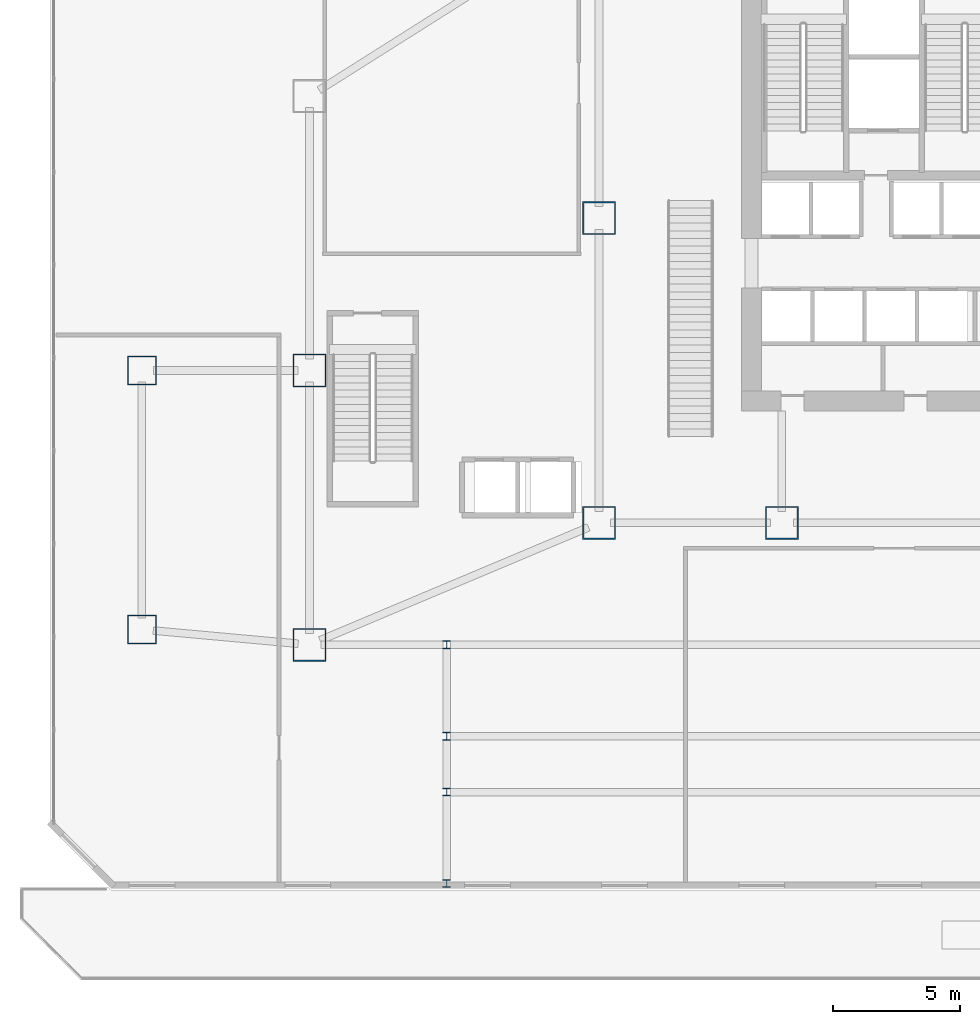
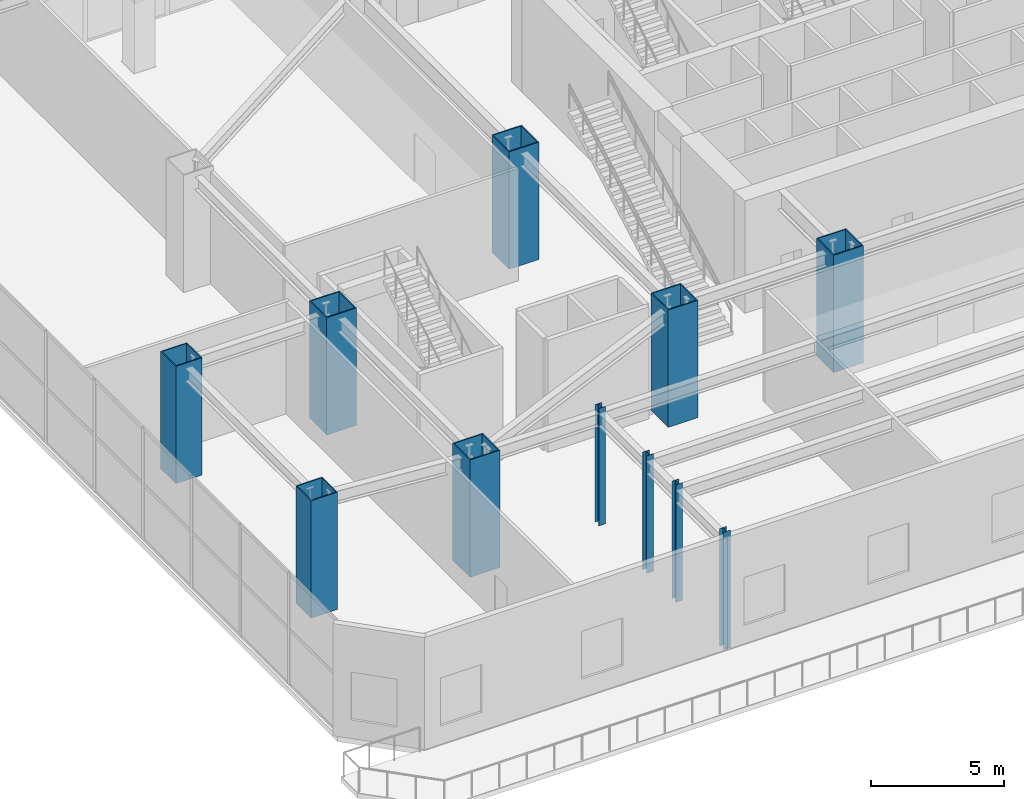
# One storey, part 1 of 37: 11 columns.
"""IFC4 building model written with IfcOpenShell, lengths in metres."""

import ifcopenshell
import ifcopenshell.guid

model = None  # the IFC model being written
_history = None  # IfcOwnerHistory: only IFC2X3 demands one
_inside = {}  # id of a spatial element -> (the spatial element, [elements in it])
_under = {}  # id of a project, library or spatial element -> (it, [spatial elements below it])
_declared = {}  # id of a project -> (the project, [libraries it declares])
_typed = {}  # id of a type object -> (the type object, [elements of that type])
_made_of = {}  # id of a material, layer set ... -> (it, [elements and type objects made of it])


def new_model(schema):
    """Start an empty IFC model of exactly this schema.

    Asked for "IFC4X3", IfcOpenShell would pick the latest addendum, in which some entities
    have other attributes; the version numbers below select the first issue.
    IFC2X3 requires an IfcOwnerHistory on every rooted entity: one is made here for all.
    """
    global model, _history
    if schema == "IFC4X3":
        model = ifcopenshell.file(schema_version=(4, 3, 0, 0))
    else:
        model = ifcopenshell.file(schema=schema)
    _inside.clear()
    _under.clear()
    _declared.clear()
    _typed.clear()
    _made_of.clear()
    _history = None
    if model.schema == "IFC2X3":
        org = make("IfcOrganization", Name="unknown")
        user = make(
            "IfcPersonAndOrganization",
            ThePerson=make("IfcPerson", FamilyName="unknown"),
            TheOrganization=org,
        )
        app = make(
            "IfcApplication",
            ApplicationDeveloper=org,
            Version="unknown",
            ApplicationFullName="unknown",
            ApplicationIdentifier="unknown",
        )
        _history = make(
            "IfcOwnerHistory",
            OwningUser=user,
            OwningApplication=app,
            ChangeAction="ADDED",
            CreationDate=0,
        )
    return model


def make(cls, **values):
    """One entity of the class cls with the attributes given. An attribute that is None is left unset."""
    return model.create_entity(
        cls, **{name: value for name, value in values.items() if value is not None}
    )


def rooted(cls, **values):
    """An entity with a GlobalId (a new one), such as an element, a storey or a relation."""
    return make(cls, GlobalId=ifcopenshell.guid.new(), OwnerHistory=_history, **values)


def si_unit(unit_type, name, prefix=None):
    """IfcSIUnit, for example si_unit("LENGTHUNIT", "METRE", prefix="MILLI")."""
    return make("IfcSIUnit", UnitType=unit_type, Prefix=prefix, Name=name)


def assignment(units):
    """IfcUnitAssignment: the units of a project."""
    return None if units is None else make("IfcUnitAssignment", Units=units)


def point(xyz):
    """IfcCartesianPoint."""
    return None if xyz is None else make("IfcCartesianPoint", Coordinates=xyz)


def direction(xyz):
    """IfcDirection."""
    return None if xyz is None else make("IfcDirection", DirectionRatios=xyz)


def frame(location, z_axis=None, x_axis=None):
    """IfcAxis2Placement3D, a coordinate frame: its origin and axes. An axis left out is left unset."""
    return make(
        "IfcAxis2Placement3D",
        Location=point(location),
        Axis=direction(z_axis),
        RefDirection=direction(x_axis),
    )


def frame_2d(location, x_axis=None):
    """IfcAxis2Placement2D, a coordinate frame in the plane: its origin and x axis."""
    return make(
        "IfcAxis2Placement2D", Location=point(location), RefDirection=direction(x_axis)
    )


def origin():
    """The frame at (0, 0, 0) with its axes left unset."""
    return frame((0.0, 0.0, 0.0))


def origin_2d():
    """The frame at (0, 0) in the plane with its x axis left unset."""
    return frame_2d((0.0, 0.0))


def place(relative_to, where):
    """IfcLocalPlacement: puts the frame where relative to a parent placement (None: the world)."""
    return make(
        "IfcLocalPlacement", PlacementRelTo=relative_to, RelativePlacement=where
    )


def context(
    kind, dimensions, precision=None, world=None, true_north=None, identifier=None
):
    """IfcGeometricRepresentationContext, for example the 3D "Model" context."""
    return make(
        "IfcGeometricRepresentationContext",
        ContextIdentifier=identifier,
        ContextType=kind,
        CoordinateSpaceDimension=dimensions,
        Precision=precision,
        WorldCoordinateSystem=world,
        TrueNorth=true_north,
    )


def subcontext(parent, identifier, kind, view, scale=None):
    """IfcGeometricRepresentationSubContext, for example "Body" below "Model"."""
    return make(
        "IfcGeometricRepresentationSubContext",
        ContextIdentifier=identifier,
        ContextType=kind,
        ParentContext=parent,
        TargetScale=scale,
        TargetView=view,
    )


def project(units=None, contexts=None):
    """IfcProject with its units and contexts."""
    return rooted(
        "IfcProject",
        Name="project",
        RepresentationContexts=contexts,
        UnitsInContext=assignment(units),
    )


def spatial(cls, under=None, at=None, **own):
    """A site, building, storey or space (cls), placed at a placement, below another one or the project."""
    s = rooted(cls, ObjectPlacement=at, **own)
    if under is not None:
        _under.setdefault(under.id(), (under, []))[1].append(s)
    return s


def profile(cls, at=None, kind="AREA", **sizes):
    """A parametric profile (cls). Its sizes go by their IFC names, for example OverallWidth=200.0."""
    return make(cls, ProfileType=kind, Position=at, **sizes)


def hollow_rectangle(**sizes):
    """IfcRectangleHollowProfileDef."""
    return profile("IfcRectangleHollowProfileDef", **sizes)


def i_section(**sizes):
    """IfcIShapeProfileDef."""
    return profile("IfcIShapeProfileDef", **sizes)


def extrude(swept, where, along, depth):
    """IfcExtrudedAreaSolid: the profile swept, set in the frame where, extruded along a direction by depth."""
    return make(
        "IfcExtrudedAreaSolid",
        SweptArea=swept,
        Position=where,
        ExtrudedDirection=direction(along),
        Depth=depth,
    )


def shape(context_of_items, identifier, shape_type, items):
    """IfcShapeRepresentation: the items that make up one representation, for example the "Body"."""
    return make(
        "IfcShapeRepresentation",
        ContextOfItems=context_of_items,
        RepresentationIdentifier=identifier,
        RepresentationType=shape_type,
        Items=items,
    )


def material(Name=None, Category=None):
    """IfcMaterial."""
    return make("IfcMaterial", Name=Name, Category=Category)


def material_profile(
    of_material, cross_section, Name=None, Category=None, Priority=None
):
    """IfcMaterialProfile: a cross section and its material."""
    return make(
        "IfcMaterialProfile",
        Name=Name,
        Material=of_material,
        Profile=cross_section,
        Priority=Priority,
        Category=Category,
    )


def profile_set(profiles, Name=None, composite=None):
    """IfcMaterialProfileSet."""
    return make(
        "IfcMaterialProfileSet",
        Name=Name,
        MaterialProfiles=profiles,
        CompositeProfile=composite,
    )


def made_of(thing, what):
    """Note that an element or type object is made of a material, layer set ...; save() writes the relation."""
    if what is not None:
        _made_of.setdefault(what.id(), (what, []))[1].append(thing)
    return thing


def type_object(cls, material=None, **own):
    """A type object (cls), such as IfcWallType, which elements share."""
    return made_of(rooted(cls, **own), material)


def element(
    cls,
    number,
    at=None,
    inside=None,
    cuts=None,
    type_object=None,
    material=None,
    context=None,
    identifier="Body",
    shape_type=None,
    held_by="IfcProductDefinitionShape",
    body=None,
    shapes=None,
    **own,
):
    """One element of the class cls, such as IfcWall. Its Tag is "e" and its number.

    at: its placement. inside: the storey or other place that contains it. cuts: it is an
    opening in that element (IfcRelVoidsElement). A single representation is given by context,
    identifier, shape_type and body (its items); several are given by shapes. held_by: the class
    of the entity that holds the representations. save() writes the other relations.
    """
    e = rooted(cls, Tag="e%d" % number, ObjectPlacement=at, **own)
    if body is not None:
        shapes = [shape(context, identifier, shape_type, body)]
    if shapes is not None:
        e.Representation = make(held_by, Representations=shapes)
    if inside is not None:
        _inside.setdefault(inside.id(), (inside, []))[1].append(e)
    if cuts is not None:
        rooted(
            "IfcRelVoidsElement", RelatingBuildingElement=cuts, RelatedOpeningElement=e
        )
    if type_object is not None:
        _typed.setdefault(type_object.id(), (type_object, []))[1].append(e)
    return made_of(e, material)


def aggregate(whole, parts):
    """IfcRelAggregates: a whole, such as a stair, and the parts it consists of."""
    return rooted("IfcRelAggregates", RelatingObject=whole, RelatedObjects=parts)


def save(model, path):
    """Write the relations noted so far, then the file.

    IfcRelAggregates (storeys below a building ...), IfcRelContainedInSpatialStructure (elements
    in a storey), IfcRelDefinesByType, IfcRelAssociatesMaterial and IfcRelDeclares: one each for
    every whole, place, type object, material and project.
    """
    for whole, parts in _under.values():
        aggregate(whole, parts)
    for where, things in _inside.values():
        rooted(
            "IfcRelContainedInSpatialStructure",
            RelatedElements=things,
            RelatingStructure=where,
        )
    for kind, things in _typed.values():
        rooted("IfcRelDefinesByType", RelatedObjects=things, RelatingType=kind)
    for what, things in _made_of.values():
        rooted("IfcRelAssociatesMaterial", RelatedObjects=things, RelatingMaterial=what)
    for by, libraries in _declared.values():
        rooted("IfcRelDeclares", RelatingContext=by, RelatedDefinitions=libraries)
    model.write(path)


model = new_model("IFC4")

# Units and contexts
model_context = context("Model", 3, precision=1e-05, world=origin(), true_north=direction((0.0, 1.0)))
body_context = subcontext(model_context, "Body", "Model", "MODEL_VIEW")
ifc_project = project(units=[si_unit("LENGTHUNIT", "METRE"), si_unit("AREAUNIT", "SQUARE_METRE"), si_unit("VOLUMEUNIT", "CUBIC_METRE"), si_unit("PLANEANGLEUNIT", "RADIAN"), si_unit("MASSUNIT", "GRAM", prefix="KILO")], contexts=[model_context])

# Site, building, storey
site_placement = place(None, origin())
site = spatial("IfcSite", under=ifc_project, at=site_placement, CompositionType="ELEMENT")
building_placement = place(site_placement, origin())
building = spatial("IfcBuilding", under=site, at=building_placement, Name="Haolan Belvedere Tower", CompositionType="ELEMENT")
storey_placement = place(building_placement, frame((0.0, 0.0, 10.199951171875)))
storey = spatial("IfcBuildingStorey", under=building, at=storey_placement, Name="L02", CompositionType="ELEMENT", Elevation=10.199951171875)

# Columns
ifc_material = material(Name="Steel Q355B", Category="steel")
ifc_material_profile_1 = material_profile(ifc_material, hollow_rectangle(XDim=1.14990234375, YDim=1.14990234375, WallThickness=0.0419921875, at=origin_2d()), Name="Steel Q355B")
ifc_profile_set_1 = profile_set([ifc_material_profile_1], Name="Steel Q355B")
column_type_1 = type_object("IfcColumnType", Name="COL-BOX1150x1150x42", PredefinedType="COLUMN", material=ifc_profile_set_1)
for number, where, z_axis, x_axis, name in (
    (1, (6.0, 17.39990234375, 0.0), (0.0, 0.0, 1.0), (1.0, 0.0, 0.0), "L02 column MC-T1-SW (BOX1150x1150x42)"),
    (2, (6.0, 27.60009765625, 0.0), (0.0, 0.0, 1.0), (1.0, 0.0, 0.0), "L02 column MC-T1-NW (BOX1150x1150x42)"),
):
    element("IfcColumn", number, at=place(storey_placement, frame(where, z_axis=z_axis, x_axis=x_axis)), inside=storey, type_object=column_type_1, Name=name, PredefinedType="COLUMN", context=body_context, shape_type="SweptSolid", body=[
        extrude(hollow_rectangle(XDim=1.14990234375, YDim=1.14990234375, WallThickness=0.0419921875, at=origin_2d()), origin(), (0.0, 0.0, 1.0), 5.400146484375),
    ])
ifc_material_profile_2 = material_profile(ifc_material, hollow_rectangle(XDim=1.300048828125, YDim=1.300048828125, WallThickness=0.048095703125, at=origin_2d()), Name="Steel Q355B")
ifc_profile_set_2 = profile_set([ifc_material_profile_2], Name="Steel Q355B")
column_type_2 = type_object("IfcColumnType", Name="COL-BOX1300x1300x48", PredefinedType="COLUMN", material=ifc_profile_set_2)
for number, where, z_axis, x_axis, name in (
    (3, (24.0, 21.60009765625, 0.0), (0.0, 0.0, 1.0), (1.0, 0.0, 0.0), "L02 column MC-T3-SW (BOX1300x1300x48)"),
    (4, (24.0, 33.60009765625, 0.0), (0.0, 0.0, 1.0), (1.0, 0.0, 0.0), "L02 column MC-T3-MW (BOX1300x1300x48)"),
    (5, (31.199951171875, 21.60009765625, 0.0), (0.0, 0.0, 1.0), (1.0, 0.0, 0.0), "L02 column MC-T3-S1 (BOX1300x1300x48)"),
    (6, (12.60009765625, 16.800048828125, 0.0), (0.0, 0.0, 1.0), (1.0, 0.0, 0.0), "L02 column MC-T2-SW (BOX1300x1300x48)"),
    (7, (12.60009765625, 27.60009765625, 0.0), (0.0, 0.0, 1.0), (1.0, 0.0, 0.0), "L02 column MC-T2-MW (BOX1300x1300x48)"),
):
    element("IfcColumn", number, at=place(storey_placement, frame(where, z_axis=z_axis, x_axis=x_axis)), inside=storey, type_object=column_type_2, Name=name, PredefinedType="COLUMN", context=body_context, shape_type="SweptSolid", body=[
        extrude(hollow_rectangle(XDim=1.300048828125, YDim=1.300048828125, WallThickness=0.048095703125, at=origin_2d()), origin(), (0.0, 0.0, 1.0), 5.400146484375),
    ])
ifc_material_profile_3 = material_profile(ifc_material, i_section(OverallWidth=0.300048828125, OverallDepth=0.300048828125, WebThickness=0.010009765625, FlangeThickness=0.014892578125, FilletRadius=0.01806640625, at=origin_2d()), Name="Steel Q355B")
ifc_profile_set_3 = profile_set([ifc_material_profile_3], Name="Steel Q355B")
column_type_3 = type_object("IfcColumnType", Name="COL-HW300x300x10x15", PredefinedType="COLUMN", material=ifc_profile_set_3)
for number, where, z_axis, x_axis, name in (
    (8, (18.0, 7.39990234375, 0.0), (0.0, 0.0, 1.0), (1.0, 0.0, 0.0), "L02 column PC-SW-1 (HW300x300x10x15)"),
    (9, (18.0, 11.0, 0.0), (0.0, 0.0, 1.0), (1.0, 0.0, 0.0), "L02 column PC-CS2-W (HW300x300x10x15)"),
    (10, (18.0, 13.199951171875, 0.0), (0.0, 0.0, 1.0), (1.0, 0.0, 0.0), "L02 column PC-CS3-W (HW300x300x10x15)"),
    (11, (18.0, 16.800048828125, 0.0), (0.0, 0.0, 1.0), (1.0, 0.0, 0.0), "L02 column PC-CS4-W (HW300x300x10x15)"),
):
    element("IfcColumn", number, at=place(storey_placement, frame(where, z_axis=z_axis, x_axis=x_axis)), inside=storey, type_object=column_type_3, Name=name, PredefinedType="COLUMN", context=body_context, shape_type="SweptSolid", body=[
        extrude(i_section(OverallWidth=0.300048828125, OverallDepth=0.300048828125, WebThickness=0.010009765625, FlangeThickness=0.014892578125, FilletRadius=0.01806640625, at=origin_2d()), origin(), (0.0, 0.0, 1.0), 5.400146484375),
    ])

save(model, "model.ifc")
